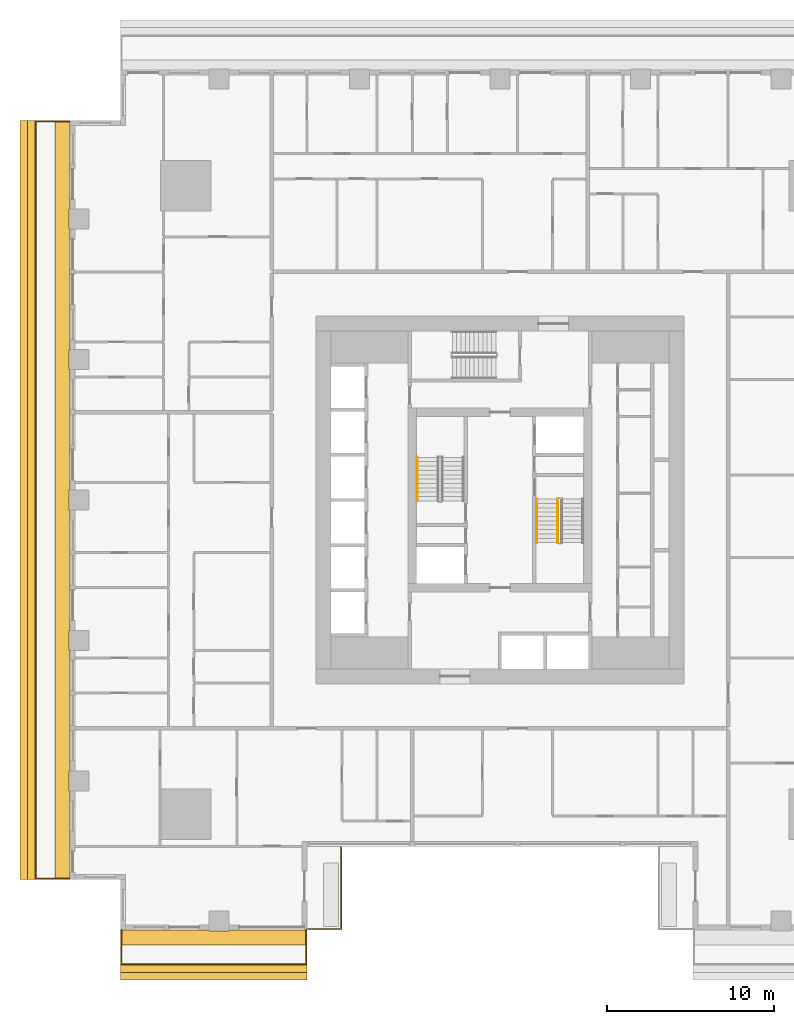
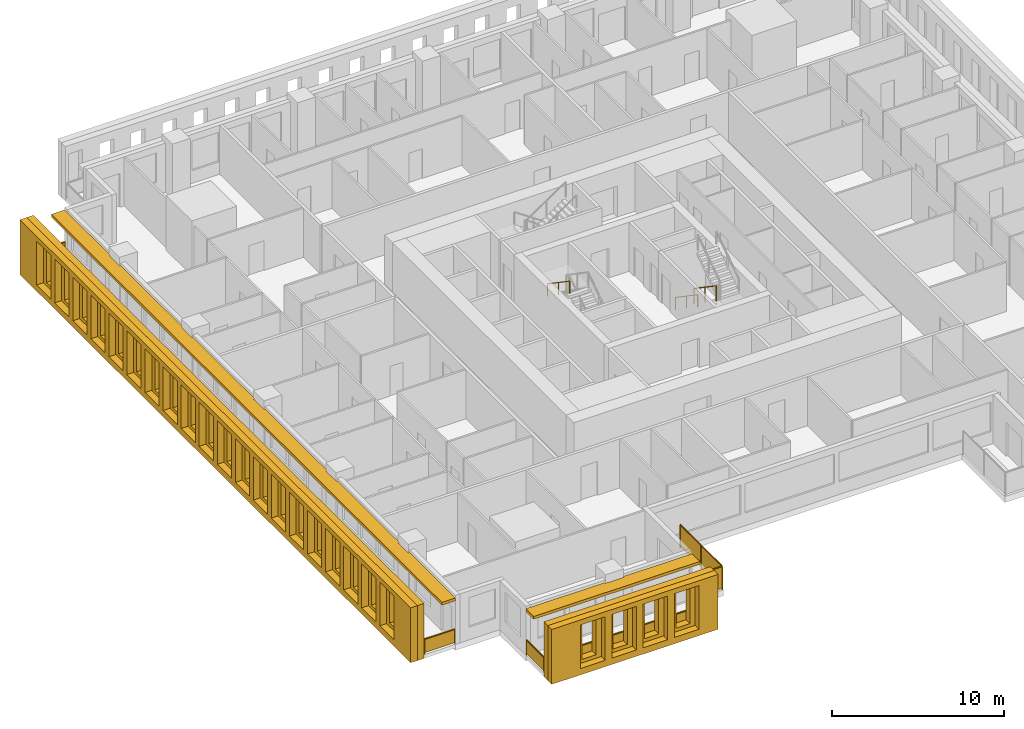
# One storey, part 11 of 15: 6 railings, 6 shading devices.
"""IFC4 building model written with IfcOpenShell, lengths in metres."""

import ifcopenshell
import ifcopenshell.guid

model = None  # the IFC model being written
_history = None  # IfcOwnerHistory: only IFC2X3 demands one
_inside = {}  # id of a spatial element -> (the spatial element, [elements in it])
_under = {}  # id of a project, library or spatial element -> (it, [spatial elements below it])
_declared = {}  # id of a project -> (the project, [libraries it declares])
_typed = {}  # id of a type object -> (the type object, [elements of that type])
_made_of = {}  # id of a material, layer set ... -> (it, [elements and type objects made of it])


def new_model(schema):
    """Start an empty IFC model of exactly this schema.

    Asked for "IFC4X3", IfcOpenShell would pick the latest addendum, in which some entities
    have other attributes; the version numbers below select the first issue.
    IFC2X3 requires an IfcOwnerHistory on every rooted entity: one is made here for all.
    """
    global model, _history
    if schema == "IFC4X3":
        model = ifcopenshell.file(schema_version=(4, 3, 0, 0))
    else:
        model = ifcopenshell.file(schema=schema)
    _inside.clear()
    _under.clear()
    _declared.clear()
    _typed.clear()
    _made_of.clear()
    _history = None
    if model.schema == "IFC2X3":
        org = make("IfcOrganization", Name="unknown")
        user = make(
            "IfcPersonAndOrganization",
            ThePerson=make("IfcPerson", FamilyName="unknown"),
            TheOrganization=org,
        )
        app = make(
            "IfcApplication",
            ApplicationDeveloper=org,
            Version="unknown",
            ApplicationFullName="unknown",
            ApplicationIdentifier="unknown",
        )
        _history = make(
            "IfcOwnerHistory",
            OwningUser=user,
            OwningApplication=app,
            ChangeAction="ADDED",
            CreationDate=0,
        )
    return model


def make(cls, **values):
    """One entity of the class cls with the attributes given. An attribute that is None is left unset."""
    return model.create_entity(
        cls, **{name: value for name, value in values.items() if value is not None}
    )


def rooted(cls, **values):
    """An entity with a GlobalId (a new one), such as an element, a storey or a relation."""
    return make(cls, GlobalId=ifcopenshell.guid.new(), OwnerHistory=_history, **values)


def si_unit(unit_type, name, prefix=None):
    """IfcSIUnit, for example si_unit("LENGTHUNIT", "METRE", prefix="MILLI")."""
    return make("IfcSIUnit", UnitType=unit_type, Prefix=prefix, Name=name)


def assignment(units):
    """IfcUnitAssignment: the units of a project."""
    return None if units is None else make("IfcUnitAssignment", Units=units)


def point(xyz):
    """IfcCartesianPoint."""
    return None if xyz is None else make("IfcCartesianPoint", Coordinates=xyz)


def direction(xyz):
    """IfcDirection."""
    return None if xyz is None else make("IfcDirection", DirectionRatios=xyz)


def frame(location, z_axis=None, x_axis=None):
    """IfcAxis2Placement3D, a coordinate frame: its origin and axes. An axis left out is left unset."""
    return make(
        "IfcAxis2Placement3D",
        Location=point(location),
        Axis=direction(z_axis),
        RefDirection=direction(x_axis),
    )


def frame_2d(location, x_axis=None):
    """IfcAxis2Placement2D, a coordinate frame in the plane: its origin and x axis."""
    return make(
        "IfcAxis2Placement2D", Location=point(location), RefDirection=direction(x_axis)
    )


def origin():
    """The frame at (0, 0, 0) with its axes left unset."""
    return frame((0.0, 0.0, 0.0))


def origin_2d():
    """The frame at (0, 0) in the plane with its x axis left unset."""
    return frame_2d((0.0, 0.0))


def place(relative_to, where):
    """IfcLocalPlacement: puts the frame where relative to a parent placement (None: the world)."""
    return make(
        "IfcLocalPlacement", PlacementRelTo=relative_to, RelativePlacement=where
    )


def context(
    kind, dimensions, precision=None, world=None, true_north=None, identifier=None
):
    """IfcGeometricRepresentationContext, for example the 3D "Model" context."""
    return make(
        "IfcGeometricRepresentationContext",
        ContextIdentifier=identifier,
        ContextType=kind,
        CoordinateSpaceDimension=dimensions,
        Precision=precision,
        WorldCoordinateSystem=world,
        TrueNorth=true_north,
    )


def subcontext(parent, identifier, kind, view, scale=None):
    """IfcGeometricRepresentationSubContext, for example "Body" below "Model"."""
    return make(
        "IfcGeometricRepresentationSubContext",
        ContextIdentifier=identifier,
        ContextType=kind,
        ParentContext=parent,
        TargetScale=scale,
        TargetView=view,
    )


def project(units=None, contexts=None):
    """IfcProject with its units and contexts."""
    return rooted(
        "IfcProject",
        Name="project",
        RepresentationContexts=contexts,
        UnitsInContext=assignment(units),
    )


def spatial(cls, under=None, at=None, **own):
    """A site, building, storey or space (cls), placed at a placement, below another one or the project."""
    s = rooted(cls, ObjectPlacement=at, **own)
    if under is not None:
        _under.setdefault(under.id(), (under, []))[1].append(s)
    return s


def polyline(points):
    """IfcPolyline through the points."""
    return make("IfcPolyline", Points=[point(p) for p in points])


def profile(cls, at=None, kind="AREA", **sizes):
    """A parametric profile (cls). Its sizes go by their IFC names, for example OverallWidth=200.0."""
    return make(cls, ProfileType=kind, Position=at, **sizes)


def rectangle(**sizes):
    """IfcRectangleProfileDef."""
    return profile("IfcRectangleProfileDef", **sizes)


def outline(outer, holes=None, kind="AREA"):
    """IfcArbitraryClosedProfileDef: a profile drawn as a closed curve; with holes, ...WithVoids."""
    if holes is None:
        return make("IfcArbitraryClosedProfileDef", ProfileType=kind, OuterCurve=outer)
    return make(
        "IfcArbitraryProfileDefWithVoids",
        ProfileType=kind,
        OuterCurve=outer,
        InnerCurves=holes,
    )


def extrude(swept, where, along, depth):
    """IfcExtrudedAreaSolid: the profile swept, set in the frame where, extruded along a direction by depth."""
    return make(
        "IfcExtrudedAreaSolid",
        SweptArea=swept,
        Position=where,
        ExtrudedDirection=direction(along),
        Depth=depth,
    )


def shape(context_of_items, identifier, shape_type, items):
    """IfcShapeRepresentation: the items that make up one representation, for example the "Body"."""
    return make(
        "IfcShapeRepresentation",
        ContextOfItems=context_of_items,
        RepresentationIdentifier=identifier,
        RepresentationType=shape_type,
        Items=items,
    )


def material(Name=None, Category=None):
    """IfcMaterial."""
    return make("IfcMaterial", Name=Name, Category=Category)


def layer(
    of_material, thickness, ventilated=None, Name=None, Category=None, Priority=None
):
    """IfcMaterialLayer: one layer of a wall or slab, of a material (None: an air gap)."""
    return make(
        "IfcMaterialLayer",
        Material=of_material,
        LayerThickness=thickness,
        IsVentilated=ventilated,
        Name=Name,
        Category=Category,
        Priority=Priority,
    )


def layer_set(layers, Name=None):
    """IfcMaterialLayerSet."""
    return make("IfcMaterialLayerSet", MaterialLayers=layers, LayerSetName=Name)


def made_of(thing, what):
    """Note that an element or type object is made of a material, layer set ...; save() writes the relation."""
    if what is not None:
        _made_of.setdefault(what.id(), (what, []))[1].append(thing)
    return thing


def type_object(cls, material=None, **own):
    """A type object (cls), such as IfcWallType, which elements share."""
    return made_of(rooted(cls, **own), material)


def element(
    cls,
    number,
    at=None,
    inside=None,
    cuts=None,
    type_object=None,
    material=None,
    context=None,
    identifier="Body",
    shape_type=None,
    held_by="IfcProductDefinitionShape",
    body=None,
    shapes=None,
    **own,
):
    """One element of the class cls, such as IfcWall. Its Tag is "e" and its number.

    at: its placement. inside: the storey or other place that contains it. cuts: it is an
    opening in that element (IfcRelVoidsElement). A single representation is given by context,
    identifier, shape_type and body (its items); several are given by shapes. held_by: the class
    of the entity that holds the representations. save() writes the other relations.
    """
    e = rooted(cls, Tag="e%d" % number, ObjectPlacement=at, **own)
    if body is not None:
        shapes = [shape(context, identifier, shape_type, body)]
    if shapes is not None:
        e.Representation = make(held_by, Representations=shapes)
    if inside is not None:
        _inside.setdefault(inside.id(), (inside, []))[1].append(e)
    if cuts is not None:
        rooted(
            "IfcRelVoidsElement", RelatingBuildingElement=cuts, RelatedOpeningElement=e
        )
    if type_object is not None:
        _typed.setdefault(type_object.id(), (type_object, []))[1].append(e)
    return made_of(e, material)


def aggregate(whole, parts):
    """IfcRelAggregates: a whole, such as a stair, and the parts it consists of."""
    return rooted("IfcRelAggregates", RelatingObject=whole, RelatedObjects=parts)


def save(model, path):
    """Write the relations noted so far, then the file.

    IfcRelAggregates (storeys below a building ...), IfcRelContainedInSpatialStructure (elements
    in a storey), IfcRelDefinesByType, IfcRelAssociatesMaterial and IfcRelDeclares: one each for
    every whole, place, type object, material and project.
    """
    for whole, parts in _under.values():
        aggregate(whole, parts)
    for where, things in _inside.values():
        rooted(
            "IfcRelContainedInSpatialStructure",
            RelatedElements=things,
            RelatingStructure=where,
        )
    for kind, things in _typed.values():
        rooted("IfcRelDefinesByType", RelatedObjects=things, RelatingType=kind)
    for what, things in _made_of.values():
        rooted("IfcRelAssociatesMaterial", RelatedObjects=things, RelatingMaterial=what)
    for by, libraries in _declared.values():
        rooted("IfcRelDeclares", RelatingContext=by, RelatedDefinitions=libraries)
    model.write(path)


model = new_model("IFC4")

# Units and contexts
model_context = context("Model", 3, precision=1e-05, world=origin(), true_north=direction((0.0, 1.0)))
body_context = subcontext(model_context, "Body", "Model", "MODEL_VIEW")
ifc_project = project(units=[si_unit("LENGTHUNIT", "METRE"), si_unit("AREAUNIT", "SQUARE_METRE"), si_unit("VOLUMEUNIT", "CUBIC_METRE"), si_unit("PLANEANGLEUNIT", "RADIAN"), si_unit("MASSUNIT", "GRAM", prefix="KILO")], contexts=[model_context])

# Site, building, storey
site_placement = place(None, origin())
site = spatial("IfcSite", under=ifc_project, at=site_placement, CompositionType="ELEMENT")
building_placement = place(site_placement, origin())
building = spatial("IfcBuilding", under=site, at=building_placement, Name="Khepri Terraces", CompositionType="ELEMENT")
storey_placement = place(building_placement, frame((0.0, 0.0, 58.199951171875)))
storey = spatial("IfcBuildingStorey", under=building, at=storey_placement, Name="L13", CompositionType="ELEMENT", Elevation=58.199951171875)

# Railings
ifc_material_1 = material(Name="Stainless steel grade 316", Category="steel")
railing_type_1 = type_object("IfcRailingType", Name="GRD-BAL-1100", PredefinedType="GUARDRAIL", material=ifc_material_1)
railing_1_placement = place(storey_placement, frame((-22.669921875, -25.719970703125, 0.0)))
element("IfcRailing", 1, at=railing_1_placement, inside=storey, type_object=railing_type_1, Name="Balcony guard L13 S", PredefinedType="GUARDRAIL", context=body_context, shape_type="SweptSolid", body=[
    extrude(rectangle(XDim=0.050048828125, YDim=0.06005859375, at=origin_2d()), frame((0.0, 0.0, 1.070068359375), z_axis=(0.0, -1.0, 0.0), x_axis=(1.0, 0.0, 0.0)), (0.0, 0.0, 1.0), 2.050048828125),
    extrude(rectangle(XDim=2.0, YDim=0.011962890625, at=origin_2d()), frame((0.0, -1.02490234375, 0.10009765625), z_axis=(0.0, 0.0, 1.0), x_axis=(0.0, -1.0, 0.0)), (0.0, 0.0, 1.0), 0.93994140625),
    extrude(rectangle(XDim=0.050048828125, YDim=0.06005859375, at=origin_2d()), frame((0.0, -2.050048828125, 1.070068359375), z_axis=(1.0, 0.0, 0.0), x_axis=(0.0, 1.0, 0.0)), (0.0, 0.0, 1.0), 11.06982421875),
    extrude(rectangle(XDim=2.163818359375, YDim=0.011962890625, at=origin_2d()), frame((1.10693359375, -2.050048828125, 0.10009765625), z_axis=(0.0, 0.0, 1.0), x_axis=(1.0, 0.0, 0.0)), (0.0, 0.0, 1.0), 0.93994140625),
    extrude(rectangle(XDim=2.163818359375, YDim=0.011962890625, at=origin_2d()), frame((3.321044921875, -2.050048828125, 0.10009765625), z_axis=(0.0, 0.0, 1.0), x_axis=(1.0, 0.0, 0.0)), (0.0, 0.0, 1.0), 0.93994140625),
    extrude(rectangle(XDim=2.163818359375, YDim=0.011962890625, at=origin_2d()), frame((5.534912109375, -2.050048828125, 0.10009765625), z_axis=(0.0, 0.0, 1.0), x_axis=(1.0, 0.0, 0.0)), (0.0, 0.0, 1.0), 0.93994140625),
    extrude(rectangle(XDim=2.163818359375, YDim=0.011962890625, at=origin_2d()), frame((7.748779296875, -2.050048828125, 0.10009765625), z_axis=(0.0, 0.0, 1.0), x_axis=(1.0, 0.0, 0.0)), (0.0, 0.0, 1.0), 0.93994140625),
    extrude(rectangle(XDim=2.163818359375, YDim=0.011962890625, at=origin_2d()), frame((9.962890625, -2.050048828125, 0.10009765625), z_axis=(0.0, 0.0, 1.0), x_axis=(1.0, 0.0, 0.0)), (0.0, 0.0, 1.0), 0.93994140625),
    extrude(rectangle(XDim=0.050048828125, YDim=0.06005859375, at=origin_2d()), frame((11.06982421875, -2.050048828125, 1.070068359375), z_axis=(0.0, 1.0, 0.0), x_axis=(-1.0, 0.0, 0.0)), (0.0, 0.0, 1.0), 2.050048828125),
    extrude(rectangle(XDim=2.0, YDim=0.011962890625, at=origin_2d()), frame((11.06982421875, -1.02490234375, 0.10009765625), z_axis=(0.0, 0.0, 1.0), x_axis=(0.0, 1.0, 0.0)), (0.0, 0.0, 1.0), 0.93994140625),
    extrude(rectangle(XDim=0.050048828125, YDim=0.050048828125, at=origin_2d()), origin(), (0.0, 0.0, 1.0), 1.0400390625),
    extrude(rectangle(XDim=0.050048828125, YDim=0.050048828125, at=origin_2d()), frame((0.0, -2.050048828125, 0.0)), (0.0, 0.0, 1.0), 1.0400390625),
    extrude(rectangle(XDim=0.050048828125, YDim=0.050048828125, at=origin_2d()), frame((2.2138671875, -2.050048828125, 0.0)), (0.0, 0.0, 1.0), 1.0400390625),
    extrude(rectangle(XDim=0.050048828125, YDim=0.050048828125, at=origin_2d()), frame((4.427978515625, -2.050048828125, 0.0)), (0.0, 0.0, 1.0), 1.0400390625),
    extrude(rectangle(XDim=0.050048828125, YDim=0.050048828125, at=origin_2d()), frame((6.641845703125, -2.050048828125, 0.0)), (0.0, 0.0, 1.0), 1.0400390625),
    extrude(rectangle(XDim=0.050048828125, YDim=0.050048828125, at=origin_2d()), frame((8.85595703125, -2.050048828125, 0.0)), (0.0, 0.0, 1.0), 1.0400390625),
    extrude(rectangle(XDim=0.050048828125, YDim=0.050048828125, at=origin_2d()), frame((11.06982421875, -2.050048828125, 0.0)), (0.0, 0.0, 1.0), 1.0400390625),
    extrude(rectangle(XDim=0.050048828125, YDim=0.050048828125, at=origin_2d()), frame((11.06982421875, 0.0, 0.0)), (0.0, 0.0, 1.0), 1.0400390625),
])
railing_2_placement = place(storey_placement, frame((-25.719970703125, 22.669921875, 0.0)))
element("IfcRailing", 2, at=railing_2_placement, inside=storey, type_object=railing_type_1, Name="Balcony guard L13 W", PredefinedType="GUARDRAIL", context=body_context, shape_type="SweptSolid", body=[
    extrude(rectangle(XDim=0.050048828125, YDim=0.06005859375, at=origin_2d()), frame((0.0, 0.0, 1.070068359375), z_axis=(-1.0, 0.0, 0.0), x_axis=(0.0, -1.0, 0.0)), (0.0, 0.0, 1.0), 2.050048828125),
    extrude(rectangle(XDim=2.0, YDim=0.011962890625, at=origin_2d()), frame((-1.02490234375, 0.0, 0.10009765625), z_axis=(0.0, 0.0, 1.0), x_axis=(-1.0, 0.0, 0.0)), (0.0, 0.0, 1.0), 0.93994140625),
    extrude(rectangle(XDim=0.050048828125, YDim=0.06005859375, at=origin_2d()), frame((-2.050048828125, 0.0, 1.070068359375), z_axis=(0.0, -1.0, 0.0), x_axis=(1.0, 0.0, 0.0)), (0.0, 0.0, 1.0), 45.33984375),
    extrude(rectangle(XDim=2.336181640625, YDim=0.011962890625, at=origin_2d()), frame((-2.050048828125, -1.193115234375, 0.10009765625), z_axis=(0.0, 0.0, 1.0), x_axis=(0.0, -1.0, 0.0)), (0.0, 0.0, 1.0), 0.93994140625),
    extrude(rectangle(XDim=2.336181640625, YDim=0.011962890625, at=origin_2d()), frame((-2.050048828125, -3.579345703125, 0.10009765625), z_axis=(0.0, 0.0, 1.0), x_axis=(0.0, -1.0, 0.0)), (0.0, 0.0, 1.0), 0.93994140625),
    extrude(rectangle(XDim=2.336181640625, YDim=0.011962890625, at=origin_2d()), frame((-2.050048828125, -5.9658203125, 0.10009765625), z_axis=(0.0, 0.0, 1.0), x_axis=(0.0, -1.0, 0.0)), (0.0, 0.0, 1.0), 0.93994140625),
    extrude(rectangle(XDim=2.336181640625, YDim=0.011962890625, at=origin_2d()), frame((-2.050048828125, -8.35205078125, 0.10009765625), z_axis=(0.0, 0.0, 1.0), x_axis=(0.0, -1.0, 0.0)), (0.0, 0.0, 1.0), 0.93994140625),
    extrude(rectangle(XDim=2.336181640625, YDim=0.011962890625, at=origin_2d()), frame((-2.050048828125, -10.73828125, 0.10009765625), z_axis=(0.0, 0.0, 1.0), x_axis=(0.0, -1.0, 0.0)), (0.0, 0.0, 1.0), 0.93994140625),
    extrude(rectangle(XDim=2.336181640625, YDim=0.011962890625, at=origin_2d()), frame((-2.050048828125, -13.124755859375, 0.10009765625), z_axis=(0.0, 0.0, 1.0), x_axis=(0.0, -1.0, 0.0)), (0.0, 0.0, 1.0), 0.93994140625),
    extrude(rectangle(XDim=2.336181640625, YDim=0.011962890625, at=origin_2d()), frame((-2.050048828125, -15.510986328125, 0.10009765625), z_axis=(0.0, 0.0, 1.0), x_axis=(0.0, -1.0, 0.0)), (0.0, 0.0, 1.0), 0.93994140625),
    extrude(rectangle(XDim=2.336181640625, YDim=0.011962890625, at=origin_2d()), frame((-2.050048828125, -17.897216796875, 0.10009765625), z_axis=(0.0, 0.0, 1.0), x_axis=(0.0, -1.0, 0.0)), (0.0, 0.0, 1.0), 0.93994140625),
    extrude(rectangle(XDim=2.336181640625, YDim=0.011962890625, at=origin_2d()), frame((-2.050048828125, -20.28369140625, 0.10009765625), z_axis=(0.0, 0.0, 1.0), x_axis=(0.0, -1.0, 0.0)), (0.0, 0.0, 1.0), 0.93994140625),
    extrude(rectangle(XDim=2.336181640625, YDim=0.011962890625, at=origin_2d()), frame((-2.050048828125, -22.669921875, 0.10009765625), z_axis=(0.0, 0.0, 1.0), x_axis=(0.0, -1.0, 0.0)), (0.0, 0.0, 1.0), 0.93994140625),
    extrude(rectangle(XDim=2.336181640625, YDim=0.011962890625, at=origin_2d()), frame((-2.050048828125, -25.05615234375, 0.10009765625), z_axis=(0.0, 0.0, 1.0), x_axis=(0.0, -1.0, 0.0)), (0.0, 0.0, 1.0), 0.93994140625),
    extrude(rectangle(XDim=2.336181640625, YDim=0.011962890625, at=origin_2d()), frame((-2.050048828125, -27.442626953125, 0.10009765625), z_axis=(0.0, 0.0, 1.0), x_axis=(0.0, -1.0, 0.0)), (0.0, 0.0, 1.0), 0.93994140625),
    extrude(rectangle(XDim=2.336181640625, YDim=0.011962890625, at=origin_2d()), frame((-2.050048828125, -29.828857421875, 0.10009765625), z_axis=(0.0, 0.0, 1.0), x_axis=(0.0, -1.0, 0.0)), (0.0, 0.0, 1.0), 0.93994140625),
    extrude(rectangle(XDim=2.336181640625, YDim=0.011962890625, at=origin_2d()), frame((-2.050048828125, -32.215087890625, 0.10009765625), z_axis=(0.0, 0.0, 1.0), x_axis=(0.0, -1.0, 0.0)), (0.0, 0.0, 1.0), 0.93994140625),
    extrude(rectangle(XDim=2.336181640625, YDim=0.011962890625, at=origin_2d()), frame((-2.050048828125, -34.6015625, 0.10009765625), z_axis=(0.0, 0.0, 1.0), x_axis=(0.0, -1.0, 0.0)), (0.0, 0.0, 1.0), 0.93994140625),
    extrude(rectangle(XDim=2.336181640625, YDim=0.011962890625, at=origin_2d()), frame((-2.050048828125, -36.98779296875, 0.10009765625), z_axis=(0.0, 0.0, 1.0), x_axis=(0.0, -1.0, 0.0)), (0.0, 0.0, 1.0), 0.93994140625),
    extrude(rectangle(XDim=2.336181640625, YDim=0.011962890625, at=origin_2d()), frame((-2.050048828125, -39.3740234375, 0.10009765625), z_axis=(0.0, 0.0, 1.0), x_axis=(0.0, -1.0, 0.0)), (0.0, 0.0, 1.0), 0.93994140625),
    extrude(rectangle(XDim=2.336181640625, YDim=0.011962890625, at=origin_2d()), frame((-2.050048828125, -41.760498046875, 0.10009765625), z_axis=(0.0, 0.0, 1.0), x_axis=(0.0, -1.0, 0.0)), (0.0, 0.0, 1.0), 0.93994140625),
    extrude(rectangle(XDim=2.336181640625, YDim=0.011962890625, at=origin_2d()), frame((-2.050048828125, -44.146728515625, 0.10009765625), z_axis=(0.0, 0.0, 1.0), x_axis=(0.0, -1.0, 0.0)), (0.0, 0.0, 1.0), 0.93994140625),
    extrude(rectangle(XDim=0.050048828125, YDim=0.06005859375, at=origin_2d()), frame((-2.050048828125, -45.33984375, 1.070068359375), z_axis=(1.0, 0.0, 0.0), x_axis=(0.0, 1.0, 0.0)), (0.0, 0.0, 1.0), 2.050048828125),
    extrude(rectangle(XDim=2.0, YDim=0.011962890625, at=origin_2d()), frame((-1.02490234375, -45.33984375, 0.10009765625), z_axis=(0.0, 0.0, 1.0), x_axis=(1.0, 0.0, 0.0)), (0.0, 0.0, 1.0), 0.93994140625),
    extrude(rectangle(XDim=0.050048828125, YDim=0.050048828125, at=origin_2d()), origin(), (0.0, 0.0, 1.0), 1.0400390625),
    extrude(rectangle(XDim=0.050048828125, YDim=0.050048828125, at=origin_2d()), frame((-2.050048828125, 0.0, 0.0)), (0.0, 0.0, 1.0), 1.0400390625),
    extrude(rectangle(XDim=0.050048828125, YDim=0.050048828125, at=origin_2d()), frame((-2.050048828125, -2.38623046875, 0.0)), (0.0, 0.0, 1.0), 1.0400390625),
    extrude(rectangle(XDim=0.050048828125, YDim=0.050048828125, at=origin_2d()), frame((-2.050048828125, -4.772705078125, 0.0)), (0.0, 0.0, 1.0), 1.0400390625),
    extrude(rectangle(XDim=0.050048828125, YDim=0.050048828125, at=origin_2d()), frame((-2.050048828125, -7.158935546875, 0.0)), (0.0, 0.0, 1.0), 1.0400390625),
    extrude(rectangle(XDim=0.050048828125, YDim=0.050048828125, at=origin_2d()), frame((-2.050048828125, -9.545166015625, 0.0)), (0.0, 0.0, 1.0), 1.0400390625),
    extrude(rectangle(XDim=0.050048828125, YDim=0.050048828125, at=origin_2d()), frame((-2.050048828125, -11.931640625, 0.0)), (0.0, 0.0, 1.0), 1.0400390625),
    extrude(rectangle(XDim=0.050048828125, YDim=0.050048828125, at=origin_2d()), frame((-2.050048828125, -14.31787109375, 0.0)), (0.0, 0.0, 1.0), 1.0400390625),
    extrude(rectangle(XDim=0.050048828125, YDim=0.050048828125, at=origin_2d()), frame((-2.050048828125, -16.7041015625, 0.0)), (0.0, 0.0, 1.0), 1.0400390625),
    extrude(rectangle(XDim=0.050048828125, YDim=0.050048828125, at=origin_2d()), frame((-2.050048828125, -19.090576171875, 0.0)), (0.0, 0.0, 1.0), 1.0400390625),
    extrude(rectangle(XDim=0.050048828125, YDim=0.050048828125, at=origin_2d()), frame((-2.050048828125, -21.476806640625, 0.0)), (0.0, 0.0, 1.0), 1.0400390625),
    extrude(rectangle(XDim=0.050048828125, YDim=0.050048828125, at=origin_2d()), frame((-2.050048828125, -23.863037109375, 0.0)), (0.0, 0.0, 1.0), 1.0400390625),
    extrude(rectangle(XDim=0.050048828125, YDim=0.050048828125, at=origin_2d()), frame((-2.050048828125, -26.249267578125, 0.0)), (0.0, 0.0, 1.0), 1.0400390625),
    extrude(rectangle(XDim=0.050048828125, YDim=0.050048828125, at=origin_2d()), frame((-2.050048828125, -28.6357421875, 0.0)), (0.0, 0.0, 1.0), 1.0400390625),
    extrude(rectangle(XDim=0.050048828125, YDim=0.050048828125, at=origin_2d()), frame((-2.050048828125, -31.02197265625, 0.0)), (0.0, 0.0, 1.0), 1.0400390625),
    extrude(rectangle(XDim=0.050048828125, YDim=0.050048828125, at=origin_2d()), frame((-2.050048828125, -33.408203125, 0.0)), (0.0, 0.0, 1.0), 1.0400390625),
    extrude(rectangle(XDim=0.050048828125, YDim=0.050048828125, at=origin_2d()), frame((-2.050048828125, -35.794677734375, 0.0)), (0.0, 0.0, 1.0), 1.0400390625),
    extrude(rectangle(XDim=0.050048828125, YDim=0.050048828125, at=origin_2d()), frame((-2.050048828125, -38.180908203125, 0.0)), (0.0, 0.0, 1.0), 1.0400390625),
    extrude(rectangle(XDim=0.050048828125, YDim=0.050048828125, at=origin_2d()), frame((-2.050048828125, -40.567138671875, 0.0)), (0.0, 0.0, 1.0), 1.0400390625),
    extrude(rectangle(XDim=0.050048828125, YDim=0.050048828125, at=origin_2d()), frame((-2.050048828125, -42.95361328125, 0.0)), (0.0, 0.0, 1.0), 1.0400390625),
    extrude(rectangle(XDim=0.050048828125, YDim=0.050048828125, at=origin_2d()), frame((-2.050048828125, -45.33984375, 0.0)), (0.0, 0.0, 1.0), 1.0400390625),
    extrude(rectangle(XDim=0.050048828125, YDim=0.050048828125, at=origin_2d()), frame((0.0, -45.33984375, 0.0)), (0.0, 0.0, 1.0), 1.0400390625),
])
railing_type_2 = type_object("IfcRailingType", Name="GRD-TERR-1700", PredefinedType="GUARDRAIL", material=ifc_material_1)
railing_3_placement = place(storey_placement, frame((-9.5, -20.7900390625, 0.0)))
element("IfcRailing", 3, at=railing_3_placement, inside=storey, type_object=railing_type_2, Name="Terrace guard L13", PredefinedType="GUARDRAIL", context=body_context, shape_type="SweptSolid", body=[
    extrude(rectangle(XDim=0.050048828125, YDim=0.06005859375, at=origin_2d()), frame((0.0, 0.0, 1.669921875), z_axis=(0.0, -1.0, 0.0), x_axis=(1.0, 0.0, 0.0)), (0.0, 0.0, 1.0), 4.8798828125),
    extrude(rectangle(XDim=2.389892578125, YDim=0.011962890625, at=origin_2d()), frame((0.0, -1.219970703125, 0.10009765625), z_axis=(0.0, 0.0, 1.0), x_axis=(0.0, -1.0, 0.0)), (0.0, 0.0, 1.0), 1.539794921875),
    extrude(rectangle(XDim=2.389892578125, YDim=0.011962890625, at=origin_2d()), frame((0.0, -3.659912109375, 0.10009765625), z_axis=(0.0, 0.0, 1.0), x_axis=(0.0, -1.0, 0.0)), (0.0, 0.0, 1.0), 1.539794921875),
    extrude(rectangle(XDim=0.050048828125, YDim=0.06005859375, at=origin_2d()), frame((0.0, -4.8798828125, 1.669921875), z_axis=(-1.0, 0.0, 0.0), x_axis=(0.0, -1.0, 0.0)), (0.0, 0.0, 1.0), 1.97998046875),
    extrude(rectangle(XDim=1.929931640625, YDim=0.011962890625, at=origin_2d()), frame((-0.989990234375, -4.8798828125, 0.10009765625), z_axis=(0.0, 0.0, 1.0), x_axis=(-1.0, 0.0, 0.0)), (0.0, 0.0, 1.0), 1.539794921875),
    extrude(rectangle(XDim=0.050048828125, YDim=0.050048828125, at=origin_2d()), origin(), (0.0, 0.0, 1.0), 1.639892578125),
    extrude(rectangle(XDim=0.050048828125, YDim=0.050048828125, at=origin_2d()), frame((0.0, -2.43994140625, 0.0)), (0.0, 0.0, 1.0), 1.639892578125),
    extrude(rectangle(XDim=0.050048828125, YDim=0.050048828125, at=origin_2d()), frame((0.0, -4.8798828125, 0.0)), (0.0, 0.0, 1.0), 1.639892578125),
    extrude(rectangle(XDim=0.050048828125, YDim=0.050048828125, at=origin_2d()), frame((-1.97998046875, -4.8798828125, 0.0)), (0.0, 0.0, 1.0), 1.639892578125),
])
ifc_material_2 = material(Name="Stainless steel 316", Category="steel")
railing_type_3 = type_object("IfcRailingType", Name="RL-CORE-GUARD", PredefinedType="GUARDRAIL", material=ifc_material_2)
railing_4_placement = place(storey_placement, frame((3.449951171875, 0.050048828125, 0.17724609375)))
element("IfcRailing", 4, at=railing_4_placement, inside=storey, type_object=railing_type_3, Name="L13 ST-2 stair guard 1", PredefinedType="GUARDRAIL", context=body_context, shape_type="SweptSolid", body=[
    extrude(rectangle(XDim=0.050048828125, YDim=0.06005859375, at=origin_2d()), frame((0.0, 0.0, 1.070068359375), z_axis=(0.0, -0.826240473404, 0.563317565952), x_axis=(1.0, 0.0, 0.0)), (0.0, 0.0, 1.0), 3.14697265625),
    extrude(rectangle(XDim=0.050048828125, YDim=0.050048828125, at=origin_2d()), origin(), (0.0, 0.0, 1.0), 1.0400390625),
    extrude(rectangle(XDim=0.050048828125, YDim=0.050048828125, at=origin_2d()), frame((0.0, -1.300048828125, 0.88623046875)), (0.0, 0.0, 1.0), 1.0400390625),
    extrude(rectangle(XDim=0.050048828125, YDim=0.050048828125, at=origin_2d()), frame((0.0, -2.60009765625, 1.772705078125)), (0.0, 0.0, 1.0), 1.0400390625),
])
railing_type_4 = type_object("IfcRailingType", Name="RL-CORE-HANDRAIL", PredefinedType="HANDRAIL", material=ifc_material_2)
for number, where, name in (
    (5, (-4.949951171875, 2.550048828125, 2.12744140625), "L13 ST-1 stair handrail 2"),
    (6, (2.199951171875, 0.050048828125, 0.17724609375), "L13 ST-2 stair handrail 1"),
):
    element("IfcRailing", number, at=place(storey_placement, frame(where)), inside=storey, type_object=railing_type_4, Name=name, PredefinedType="HANDRAIL", context=body_context, shape_type="SweptSolid", body=[
        extrude(rectangle(XDim=0.050048828125, YDim=0.050048828125, at=origin_2d()), frame((0.0, 0.0, 0.875), z_axis=(0.0, -0.826240473404, 0.563317565952), x_axis=(1.0, 0.0, 0.0)), (0.0, 0.0, 1.0), 3.14697265625),
        extrude(rectangle(XDim=0.050048828125, YDim=0.050048828125, at=origin_2d()), origin(), (0.0, 0.0, 1.0), 0.849853515625),
        extrude(rectangle(XDim=0.050048828125, YDim=0.050048828125, at=origin_2d()), frame((0.0, -1.300048828125, 0.88623046875)), (0.0, 0.0, 1.0), 0.849853515625),
        extrude(rectangle(XDim=0.050048828125, YDim=0.050048828125, at=origin_2d()), frame((0.0, -2.60009765625, 1.772705078125)), (0.0, 0.0, 1.0), 0.849853515625),
    ])

# Shading devices
ifc_material_3 = material(Name="Precast concrete C50/60 warm stone", Category="masonry")
shading_device_type_1 = type_object("IfcShadingDeviceType", Name="SCR-CELL-INNER-450", PredefinedType="USERDEFINED", material=ifc_material_3)
shading_device_1_placement = place(storey_placement, frame((-22.719970703125, -27.820068359375, -0.25), z_axis=(0.0, -1.0, 0.0), x_axis=(1.0, 0.0, 0.0)))
element("IfcShadingDevice", 7, at=shading_device_1_placement, inside=storey, type_object=shading_device_type_1, Name="Cell screen L13 S in", ObjectType="SCREEN", PredefinedType="USERDEFINED", context=body_context, shape_type="SweptSolid", body=[
    extrude(outline(polyline([(0.0, 0.0), (11.169921875, 0.0), (11.169921875, 3.89990234375), (0.0, 3.89990234375), (0.0, 0.0)]), holes=[polyline([(0.197509765625, 0.699951171875), (1.142578125, 0.699951171875), (1.142578125, 3.300048828125), (0.197509765625, 3.300048828125), (0.197509765625, 0.699951171875)]), polyline([(2.297607421875, 0.699951171875), (3.242431640625, 0.699951171875), (3.242431640625, 3.300048828125), (2.297607421875, 3.300048828125), (2.297607421875, 0.699951171875)]), polyline([(4.3974609375, 0.699951171875), (5.342529296875, 0.699951171875), (5.342529296875, 3.300048828125), (4.3974609375, 3.300048828125), (4.3974609375, 0.699951171875)]), polyline([(6.49755859375, 0.699951171875), (7.4423828125, 0.699951171875), (7.4423828125, 3.300048828125), (6.49755859375, 3.300048828125), (6.49755859375, 0.699951171875)]), polyline([(8.597412109375, 0.699951171875), (9.54248046875, 0.699951171875), (9.54248046875, 3.300048828125), (8.597412109375, 3.300048828125), (8.597412109375, 0.699951171875)])]), origin(), (0.0, 0.0, 1.0), 0.449951171875),
])
shading_device_2_placement = place(storey_placement, frame((-27.820068359375, 22.719970703125, -0.25), z_axis=(-1.0, 0.0, 0.0), x_axis=(0.0, -1.0, 0.0)))
element("IfcShadingDevice", 8, at=shading_device_2_placement, inside=storey, type_object=shading_device_type_1, Name="Cell screen L13 W in", ObjectType="SCREEN", PredefinedType="USERDEFINED", context=body_context, shape_type="SweptSolid", body=[
    extrude(outline(polyline([(0.0, 0.0), (45.43994140625, 0.0), (45.43994140625, 3.89990234375), (0.0, 3.89990234375), (0.0, 0.0)]), holes=[polyline([(0.197509765625, 0.699951171875), (1.142578125, 0.699951171875), (1.142578125, 3.300048828125), (0.197509765625, 3.300048828125), (0.197509765625, 0.699951171875)]), polyline([(2.297607421875, 0.699951171875), (3.242431640625, 0.699951171875), (3.242431640625, 3.300048828125), (2.297607421875, 3.300048828125), (2.297607421875, 0.699951171875)]), polyline([(4.3974609375, 0.699951171875), (5.342529296875, 0.699951171875), (5.342529296875, 3.300048828125), (4.3974609375, 3.300048828125), (4.3974609375, 0.699951171875)]), polyline([(6.49755859375, 0.699951171875), (7.4423828125, 0.699951171875), (7.4423828125, 3.300048828125), (6.49755859375, 3.300048828125), (6.49755859375, 0.699951171875)]), polyline([(8.597412109375, 0.699951171875), (9.54248046875, 0.699951171875), (9.54248046875, 3.300048828125), (8.597412109375, 3.300048828125), (8.597412109375, 0.699951171875)]), polyline([(10.697509765625, 0.699951171875), (11.642578125, 0.699951171875), (11.642578125, 3.300048828125), (10.697509765625, 3.300048828125), (10.697509765625, 0.699951171875)]), polyline([(12.797607421875, 0.699951171875), (13.742431640625, 0.699951171875), (13.742431640625, 3.300048828125), (12.797607421875, 3.300048828125), (12.797607421875, 0.699951171875)]), polyline([(14.8974609375, 0.699951171875), (15.842529296875, 0.699951171875), (15.842529296875, 3.300048828125), (14.8974609375, 3.300048828125), (14.8974609375, 0.699951171875)]), polyline([(16.99755859375, 0.699951171875), (17.9423828125, 0.699951171875), (17.9423828125, 3.300048828125), (16.99755859375, 3.300048828125), (16.99755859375, 0.699951171875)]), polyline([(19.097412109375, 0.699951171875), (20.04248046875, 0.699951171875), (20.04248046875, 3.300048828125), (19.097412109375, 3.300048828125), (19.097412109375, 0.699951171875)]), polyline([(21.197509765625, 0.699951171875), (22.142578125, 0.699951171875), (22.142578125, 3.300048828125), (21.197509765625, 3.300048828125), (21.197509765625, 0.699951171875)]), polyline([(23.297607421875, 0.699951171875), (24.242431640625, 0.699951171875), (24.242431640625, 3.300048828125), (23.297607421875, 3.300048828125), (23.297607421875, 0.699951171875)]), polyline([(25.3974609375, 0.699951171875), (26.342529296875, 0.699951171875), (26.342529296875, 3.300048828125), (25.3974609375, 3.300048828125), (25.3974609375, 0.699951171875)]), polyline([(27.49755859375, 0.699951171875), (28.4423828125, 0.699951171875), (28.4423828125, 3.300048828125), (27.49755859375, 3.300048828125), (27.49755859375, 0.699951171875)]), polyline([(29.597412109375, 0.699951171875), (30.54248046875, 0.699951171875), (30.54248046875, 3.300048828125), (29.597412109375, 3.300048828125), (29.597412109375, 0.699951171875)]), polyline([(31.697509765625, 0.699951171875), (32.642578125, 0.699951171875), (32.642578125, 3.300048828125), (31.697509765625, 3.300048828125), (31.697509765625, 0.699951171875)]), polyline([(33.797607421875, 0.699951171875), (34.742431640625, 0.699951171875), (34.742431640625, 3.300048828125), (33.797607421875, 3.300048828125), (33.797607421875, 0.699951171875)]), polyline([(35.8974609375, 0.699951171875), (36.842529296875, 0.699951171875), (36.842529296875, 3.300048828125), (35.8974609375, 3.300048828125), (35.8974609375, 0.699951171875)]), polyline([(37.99755859375, 0.699951171875), (38.9423828125, 0.699951171875), (38.9423828125, 3.300048828125), (37.99755859375, 3.300048828125), (37.99755859375, 0.699951171875)]), polyline([(40.097412109375, 0.699951171875), (41.04248046875, 0.699951171875), (41.04248046875, 3.300048828125), (40.097412109375, 3.300048828125), (40.097412109375, 0.699951171875)]), polyline([(42.197509765625, 0.699951171875), (43.142578125, 0.699951171875), (43.142578125, 3.300048828125), (42.197509765625, 3.300048828125), (42.197509765625, 0.699951171875)]), polyline([(44.297607421875, 0.699951171875), (45.242431640625, 0.699951171875), (45.242431640625, 3.300048828125), (44.297607421875, 3.300048828125), (44.297607421875, 0.699951171875)])]), origin(), (0.0, 0.0, 1.0), 0.449951171875),
])
shading_device_type_2 = type_object("IfcShadingDeviceType", Name="SCR-CELL-OUTER-450", PredefinedType="USERDEFINED", material=ifc_material_3)
shading_device_3_placement = place(storey_placement, frame((-22.719970703125, -28.27001953125, -0.25), z_axis=(0.0, -1.0, 0.0), x_axis=(1.0, 0.0, 0.0)))
element("IfcShadingDevice", 9, at=shading_device_3_placement, inside=storey, type_object=shading_device_type_2, Name="Cell screen L13 S out", ObjectType="SCREEN", PredefinedType="USERDEFINED", context=body_context, shape_type="SweptSolid", body=[
    extrude(outline(polyline([(0.0, 0.0), (11.169921875, 0.0), (11.169921875, 3.89990234375), (0.0, 3.89990234375), (0.0, 0.0)]), holes=[polyline([(1.947509765625, 0.449951171875), (3.592529296875, 0.449951171875), (3.592529296875, 3.550048828125), (1.947509765625, 3.550048828125), (1.947509765625, 0.449951171875)]), polyline([(4.047607421875, 0.449951171875), (5.6923828125, 0.449951171875), (5.6923828125, 3.550048828125), (4.047607421875, 3.550048828125), (4.047607421875, 0.449951171875)]), polyline([(6.1474609375, 0.449951171875), (7.79248046875, 0.449951171875), (7.79248046875, 3.550048828125), (6.1474609375, 3.550048828125), (6.1474609375, 0.449951171875)]), polyline([(8.24755859375, 0.449951171875), (9.892578125, 0.449951171875), (9.892578125, 3.550048828125), (8.24755859375, 3.550048828125), (8.24755859375, 0.449951171875)])]), origin(), (0.0, 0.0, 1.0), 0.449951171875),
])
shading_device_4_placement = place(storey_placement, frame((-28.27001953125, 22.719970703125, -0.25), z_axis=(-1.0, 0.0, 0.0), x_axis=(0.0, -1.0, 0.0)))
element("IfcShadingDevice", 10, at=shading_device_4_placement, inside=storey, type_object=shading_device_type_2, Name="Cell screen L13 W out", ObjectType="SCREEN", PredefinedType="USERDEFINED", context=body_context, shape_type="SweptSolid", body=[
    extrude(outline(polyline([(0.0, 0.0), (45.43994140625, 0.0), (45.43994140625, 3.89990234375), (0.0, 3.89990234375), (0.0, 0.0)]), holes=[polyline([(1.947509765625, 0.449951171875), (3.592529296875, 0.449951171875), (3.592529296875, 3.550048828125), (1.947509765625, 3.550048828125), (1.947509765625, 0.449951171875)]), polyline([(4.047607421875, 0.449951171875), (5.6923828125, 0.449951171875), (5.6923828125, 3.550048828125), (4.047607421875, 3.550048828125), (4.047607421875, 0.449951171875)]), polyline([(6.1474609375, 0.449951171875), (7.79248046875, 0.449951171875), (7.79248046875, 3.550048828125), (6.1474609375, 3.550048828125), (6.1474609375, 0.449951171875)]), polyline([(8.24755859375, 0.449951171875), (9.892578125, 0.449951171875), (9.892578125, 3.550048828125), (8.24755859375, 3.550048828125), (8.24755859375, 0.449951171875)]), polyline([(10.347412109375, 0.449951171875), (11.992431640625, 0.449951171875), (11.992431640625, 3.550048828125), (10.347412109375, 3.550048828125), (10.347412109375, 0.449951171875)]), polyline([(12.447509765625, 0.449951171875), (14.092529296875, 0.449951171875), (14.092529296875, 3.550048828125), (12.447509765625, 3.550048828125), (12.447509765625, 0.449951171875)]), polyline([(14.547607421875, 0.449951171875), (16.1923828125, 0.449951171875), (16.1923828125, 3.550048828125), (14.547607421875, 3.550048828125), (14.547607421875, 0.449951171875)]), polyline([(16.6474609375, 0.449951171875), (18.29248046875, 0.449951171875), (18.29248046875, 3.550048828125), (16.6474609375, 3.550048828125), (16.6474609375, 0.449951171875)]), polyline([(18.74755859375, 0.449951171875), (20.392578125, 0.449951171875), (20.392578125, 3.550048828125), (18.74755859375, 3.550048828125), (18.74755859375, 0.449951171875)]), polyline([(20.847412109375, 0.449951171875), (22.492431640625, 0.449951171875), (22.492431640625, 3.550048828125), (20.847412109375, 3.550048828125), (20.847412109375, 0.449951171875)]), polyline([(22.947509765625, 0.449951171875), (24.592529296875, 0.449951171875), (24.592529296875, 3.550048828125), (22.947509765625, 3.550048828125), (22.947509765625, 0.449951171875)]), polyline([(25.047607421875, 0.449951171875), (26.6923828125, 0.449951171875), (26.6923828125, 3.550048828125), (25.047607421875, 3.550048828125), (25.047607421875, 0.449951171875)]), polyline([(27.1474609375, 0.449951171875), (28.79248046875, 0.449951171875), (28.79248046875, 3.550048828125), (27.1474609375, 3.550048828125), (27.1474609375, 0.449951171875)]), polyline([(29.24755859375, 0.449951171875), (30.892578125, 0.449951171875), (30.892578125, 3.550048828125), (29.24755859375, 3.550048828125), (29.24755859375, 0.449951171875)]), polyline([(31.347412109375, 0.449951171875), (32.992431640625, 0.449951171875), (32.992431640625, 3.550048828125), (31.347412109375, 3.550048828125), (31.347412109375, 0.449951171875)]), polyline([(33.447509765625, 0.449951171875), (35.092529296875, 0.449951171875), (35.092529296875, 3.550048828125), (33.447509765625, 3.550048828125), (33.447509765625, 0.449951171875)]), polyline([(35.547607421875, 0.449951171875), (37.1923828125, 0.449951171875), (37.1923828125, 3.550048828125), (35.547607421875, 3.550048828125), (35.547607421875, 0.449951171875)]), polyline([(37.6474609375, 0.449951171875), (39.29248046875, 0.449951171875), (39.29248046875, 3.550048828125), (37.6474609375, 3.550048828125), (37.6474609375, 0.449951171875)]), polyline([(39.74755859375, 0.449951171875), (41.392578125, 0.449951171875), (41.392578125, 3.550048828125), (39.74755859375, 3.550048828125), (39.74755859375, 0.449951171875)]), polyline([(41.847412109375, 0.449951171875), (43.492431640625, 0.449951171875), (43.492431640625, 3.550048828125), (41.847412109375, 3.550048828125), (41.847412109375, 0.449951171875)])]), origin(), (0.0, 0.0, 1.0), 0.449951171875),
])
ifc_layer = layer(ifc_material_3, 0.199951171875, Name="Precast concrete C50/60 warm stone", Category="masonry")
ifc_layer_set = layer_set([ifc_layer], Name="Precast concrete C50/60 warm stone")
shading_device_type_3 = type_object("IfcShadingDeviceType", Name="SSH-BAND-STONE-200", PredefinedType="USERDEFINED", material=ifc_layer_set)
shading_device_5_placement = place(storey_placement, frame((0.0, 0.0, 3.10009765625)))
element("IfcShadingDevice", 11, at=shading_device_5_placement, inside=storey, type_object=shading_device_type_3, Name="Sunshade band L13 S", ObjectType="SUNSHADE", PredefinedType="USERDEFINED", context=body_context, shape_type="SweptSolid", body=[
    extrude(outline(polyline([(-17.39990234375, -25.719970703125), (-22.719970703125, -25.719970703125), (-22.719970703125, -26.6201171875), (-11.550048828125, -26.6201171875), (-11.550048828125, -25.719970703125), (-16.199951171875, -25.719970703125), (-16.199951171875, -25.800048828125), (-17.39990234375, -25.800048828125), (-17.39990234375, -25.719970703125)])), origin(), (0.0, 0.0, 1.0), 0.199951171875),
])
shading_device_6_placement = place(storey_placement, frame((0.0, 0.0, 3.10009765625)))
element("IfcShadingDevice", 12, at=shading_device_6_placement, inside=storey, type_object=shading_device_type_3, Name="Sunshade band L13 W", ObjectType="SUNSHADE", PredefinedType="USERDEFINED", context=body_context, shape_type="SweptSolid", body=[
    extrude(outline(polyline([(-25.719970703125, 17.39990234375), (-25.719970703125, 22.719970703125), (-26.6201171875, 22.719970703125), (-26.6201171875, -22.719970703125), (-25.719970703125, -22.719970703125), (-25.719970703125, -17.39990234375), (-25.800048828125, -17.39990234375), (-25.800048828125, -16.199951171875), (-25.719970703125, -16.199951171875), (-25.719970703125, -9.0), (-25.800048828125, -9.0), (-25.800048828125, -7.800048828125), (-25.719970703125, -7.800048828125), (-25.719970703125, -0.60009765625), (-25.800048828125, -0.60009765625), (-25.800048828125, 0.60009765625), (-25.719970703125, 0.60009765625), (-25.719970703125, 7.800048828125), (-25.800048828125, 7.800048828125), (-25.800048828125, 9.0), (-25.719970703125, 9.0), (-25.719970703125, 16.199951171875), (-25.800048828125, 16.199951171875), (-25.800048828125, 17.39990234375), (-25.719970703125, 17.39990234375)])), origin(), (0.0, 0.0, 1.0), 0.199951171875),
])

save(model, "model.ifc")
